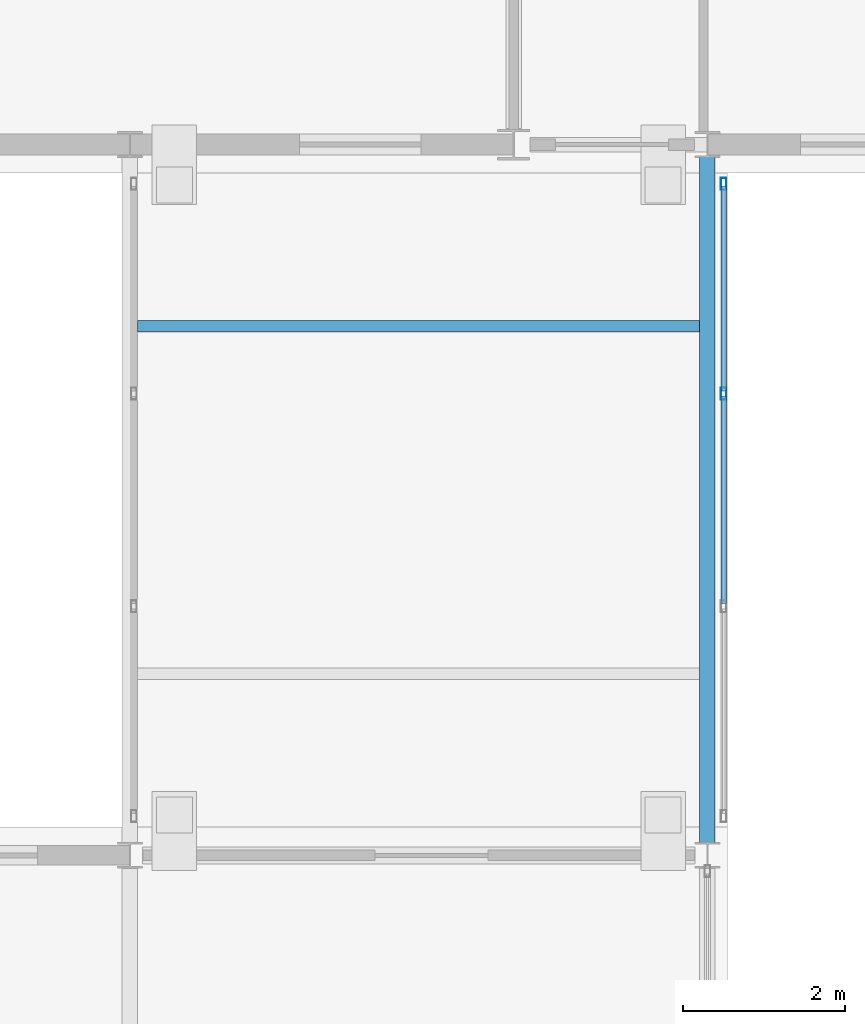
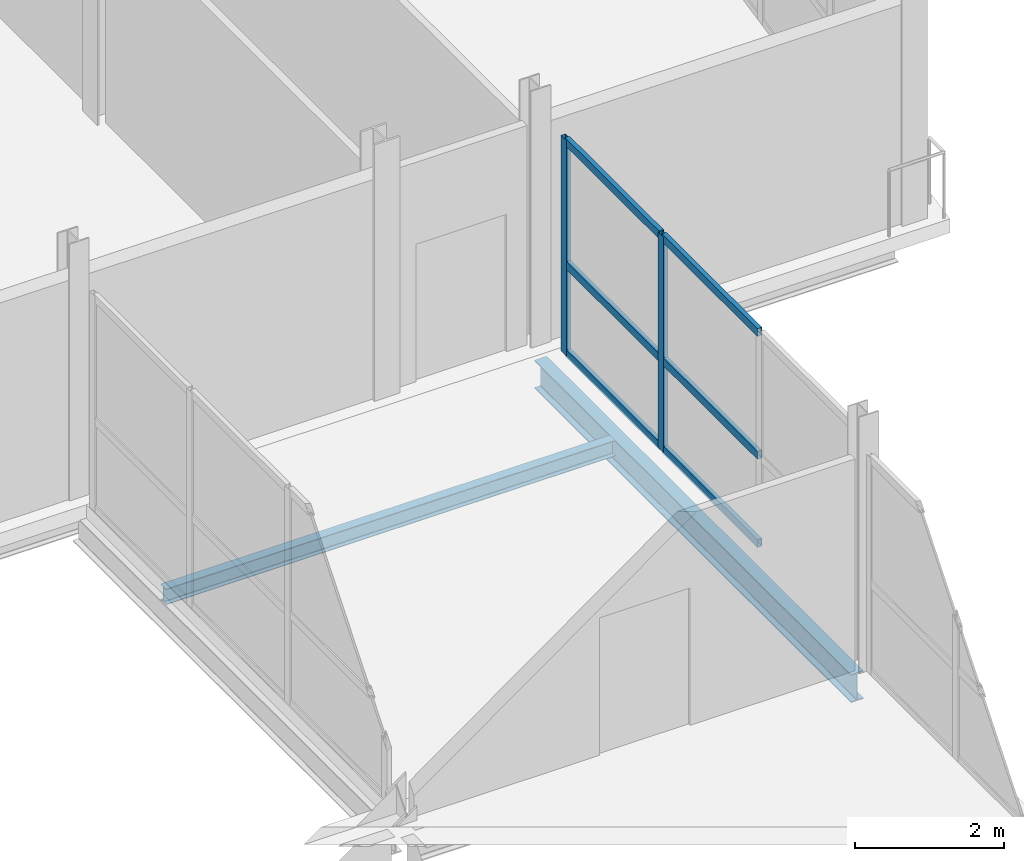
# One storey, part 20 of 60: 8 members, 2 beams, 1 element without a shape of its own.
"""IFC4 building model written with IfcOpenShell, lengths in metres."""

from ifc_helpers import new_model, si_unit, direction, frame, origin, origin_2d, place, context, subcontext, project, spatial, hollow_rectangle, i_section, extrude, material, layer, layer_set, material_profile, profile_set, type_object, element, aggregate, save


model = new_model("IFC4")

# Units and contexts
model_context = context("Model", 3, precision=1e-05, world=origin(), true_north=direction((0.0, 1.0)))
body_context = subcontext(model_context, "Body", "Model", "MODEL_VIEW")
ifc_project = project(units=[si_unit("LENGTHUNIT", "METRE"), si_unit("AREAUNIT", "SQUARE_METRE"), si_unit("VOLUMEUNIT", "CUBIC_METRE"), si_unit("PLANEANGLEUNIT", "RADIAN"), si_unit("MASSUNIT", "GRAM", prefix="KILO")], contexts=[model_context])

# Site, building, storey
site_placement = place(None, origin())
site = spatial("IfcSite", under=ifc_project, at=site_placement, CompositionType="ELEMENT")
building_placement = place(site_placement, origin())
building = spatial("IfcBuilding", under=site, at=building_placement, Name="Quillay Park Conservatory", CompositionType="ELEMENT")
storey_placement = place(building_placement, frame((0.0, 0.0, 9.89990234375)))
storey = spatial("IfcBuildingStorey", under=building, at=storey_placement, Name="L02", CompositionType="ELEMENT", Elevation=9.89990234375)

# Beam
ifc_material_1 = material(Name="Steel ASTM A992 Grade 50", Category="steel")
ifc_material_profile_1 = material_profile(ifc_material_1, i_section(OverallWidth=0.14599609375, OverallDepth=0.258056640625, WebThickness=0.006103515625, FlangeThickness=0.009033203125, FilletRadius=0.009033203125, at=origin_2d()), Name="W250x33")
ifc_profile_set_1 = profile_set([ifc_material_profile_1], Name="Steel ASTM A992 Grade 50")
beam_type_1 = type_object("IfcBeamType", Name="COMPOSITE FLOOR JOIST W250 X33", PredefinedType="JOIST", material=ifc_profile_set_1)
beam_1_placement = place(storey_placement, frame((15.095947265625, 60.800048828125, -0.348876953125), z_axis=(1.0, 0.0, 0.0), x_axis=(0.0, 1.0, 0.0)))
element("IfcBeam", 1, at=beam_1_placement, inside=storey, type_object=beam_type_1, Name="L02 beam BM-LB1J-1584", PredefinedType="JOIST", context=body_context, shape_type="SweptSolid", body=[
    extrude(i_section(OverallWidth=0.14599609375, OverallDepth=0.258056640625, WebThickness=0.006103515625, FlangeThickness=0.009033203125, FilletRadius=0.009033203125, at=origin_2d()), origin(), (0.0, 0.0, 1.0), 6.9580078125),
])

# Curtain wall, members
ifc_material_2 = material(Name="Thermally Broken Anodised Aluminium 6063-T6", Category="aluminium")
ifc_layer = layer(ifc_material_2, 0.155029296875)
ifc_layer_set = layer_set([ifc_layer], Name="UNITISED CURTAIN WALL BRIDGE (Thermally Broken Anodised Aluminium 6063-T6)")
curtain_wall_type = type_object("IfcCurtainWallType", Name="UNITISED CURTAIN WALL BRIDGE", PredefinedType="USERDEFINED", material=ifc_layer_set)
curtain_wall_placement = place(storey_placement, origin())
curtain_wall = element("IfcCurtainWall", 2, at=curtain_wall_placement, inside=storey, type_object=curtain_wall_type, Name="L02 Unitised Curtain Wall 218", ObjectType="UNITISED CURTAIN WALL", PredefinedType="USERDEFINED")
ifc_material_3 = material(Name="Thermally Broken Anodised Aluminium 6063-T6", Category="aluminium")
ifc_material_profile_2 = material_profile(ifc_material_3, hollow_rectangle(XDim=0.070068359375, YDim=0.14990234375, WallThickness=0.00341796875, at=origin_2d()), Name="AL70x150x3.5")
ifc_profile_set_2 = profile_set([ifc_material_profile_2], Name="Thermally Broken Anodised Aluminium 6063-T6")
member_type_1 = type_object("IfcMemberType", Name="CURTAIN WALL MULLION 70 X150", PredefinedType="MULLION", material=ifc_profile_set_2)
member_1_placement = place(storey_placement, frame((22.35009765625, 62.56494140625, 0.0), z_axis=(0.0, 0.0, 1.0), x_axis=(1.0, 0.0, 0.0)))
member_1 = element("IfcMember", 3, at=member_1_placement, type_object=member_type_1, Name="CW-B1 mullion 1", PredefinedType="MULLION", context=body_context, shape_type="SweptSolid", body=[
    extrude(hollow_rectangle(XDim=0.070068359375, YDim=0.14990234375, WallThickness=0.00341796875, at=origin_2d()), origin(), (0.0, 0.0, 1.0), 3.524169921875),
])
member_2_placement = place(storey_placement, frame((22.35009765625, 59.966552734375, 0.0), z_axis=(0.0, 0.0, 1.0), x_axis=(1.0, 0.0, 0.0)))
member_2 = element("IfcMember", 4, at=member_2_placement, type_object=member_type_1, Name="CW-B1 mullion 2", PredefinedType="MULLION", context=body_context, shape_type="SweptSolid", body=[
    extrude(hollow_rectangle(XDim=0.070068359375, YDim=0.14990234375, WallThickness=0.00341796875, at=origin_2d()), origin(), (0.0, 0.0, 1.0), 3.524169921875),
])
ifc_material_4 = material(Name="Thermally Broken Anodised Aluminium 6063-T6", Category="aluminium")
ifc_material_profile_3 = material_profile(ifc_material_4, hollow_rectangle(XDim=0.070068359375, YDim=0.1298828125, WallThickness=0.003173828125, at=origin_2d()), Name="AL70x130x3.2")
ifc_profile_set_3 = profile_set([ifc_material_profile_3], Name="Thermally Broken Anodised Aluminium 6063-T6")
member_type_2 = type_object("IfcMemberType", Name="CURTAIN WALL TRANSOM 70 X130", PredefinedType="USERDEFINED", material=ifc_profile_set_3)
member_3_placement = place(storey_placement, frame((22.35009765625, 62.530029296875, 0.03515625), z_axis=(0.0, -1.0, 0.0), x_axis=(1.0, 0.0, 0.0)))
member_3 = element("IfcMember", 5, at=member_3_placement, type_object=member_type_2, Name="CW-B1 transom 1.1", ObjectType="TRANSOM", PredefinedType="USERDEFINED", context=body_context, shape_type="SweptSolid", body=[
    extrude(hollow_rectangle(XDim=0.070068359375, YDim=0.1298828125, WallThickness=0.003173828125, at=origin_2d()), origin(), (0.0, 0.0, 1.0), 2.5283203125),
])
member_4_placement = place(storey_placement, frame((22.35009765625, 62.530029296875, 1.480224609375), z_axis=(0.0, -1.0, 0.0), x_axis=(1.0, 0.0, 0.0)))
member_4 = element("IfcMember", 6, at=member_4_placement, type_object=member_type_2, Name="CW-B1 transom 1.2", ObjectType="TRANSOM", PredefinedType="USERDEFINED", context=body_context, shape_type="SweptSolid", body=[
    extrude(hollow_rectangle(XDim=0.070068359375, YDim=0.1298828125, WallThickness=0.003173828125, at=origin_2d()), origin(), (0.0, 0.0, 1.0), 2.5283203125),
])
member_5_placement = place(storey_placement, frame((22.35009765625, 62.530029296875, 3.489013671875), z_axis=(0.0, -1.0, 0.0), x_axis=(1.0, 0.0, 0.0)))
member_5 = element("IfcMember", 7, at=member_5_placement, type_object=member_type_2, Name="CW-B1 transom 1.3", ObjectType="TRANSOM", PredefinedType="USERDEFINED", context=body_context, shape_type="SweptSolid", body=[
    extrude(hollow_rectangle(XDim=0.070068359375, YDim=0.1298828125, WallThickness=0.003173828125, at=origin_2d()), origin(), (0.0, 0.0, 1.0), 2.5283203125),
])
member_6_placement = place(storey_placement, frame((22.35009765625, 59.931640625, 0.03515625), z_axis=(0.0, -1.0, 0.0), x_axis=(1.0, 0.0, 0.0)))
member_6 = element("IfcMember", 8, at=member_6_placement, type_object=member_type_2, Name="CW-B1 transom 2.1", ObjectType="TRANSOM", PredefinedType="USERDEFINED", context=body_context, shape_type="SweptSolid", body=[
    extrude(hollow_rectangle(XDim=0.070068359375, YDim=0.1298828125, WallThickness=0.003173828125, at=origin_2d()), origin(), (0.0, 0.0, 1.0), 2.563232421875),
])
member_7_placement = place(storey_placement, frame((22.35009765625, 59.931640625, 1.480224609375), z_axis=(0.0, -1.0, 0.0), x_axis=(1.0, 0.0, 0.0)))
member_7 = element("IfcMember", 9, at=member_7_placement, type_object=member_type_2, Name="CW-B1 transom 2.2", ObjectType="TRANSOM", PredefinedType="USERDEFINED", context=body_context, shape_type="SweptSolid", body=[
    extrude(hollow_rectangle(XDim=0.070068359375, YDim=0.1298828125, WallThickness=0.003173828125, at=origin_2d()), origin(), (0.0, 0.0, 1.0), 2.563232421875),
])
member_8_placement = place(storey_placement, frame((22.35009765625, 59.931640625, 3.489013671875), z_axis=(0.0, -1.0, 0.0), x_axis=(1.0, 0.0, 0.0)))
member_8 = element("IfcMember", 10, at=member_8_placement, type_object=member_type_2, Name="CW-B1 transom 2.3", ObjectType="TRANSOM", PredefinedType="USERDEFINED", context=body_context, shape_type="SweptSolid", body=[
    extrude(hollow_rectangle(XDim=0.070068359375, YDim=0.1298828125, WallThickness=0.003173828125, at=origin_2d()), origin(), (0.0, 0.0, 1.0), 2.563232421875),
])
aggregate(curtain_wall, [member_1, member_2, member_3, member_4, member_5, member_6, member_7, member_8])

# Beam
ifc_material_5 = material(Name="Steel ASTM A992 Grade 50", Category="steel")
ifc_material_profile_4 = material_profile(ifc_material_5, i_section(OverallWidth=0.19189453125, OverallDepth=0.462890625, WebThickness=0.010498046875, FlangeThickness=0.017578125, FilletRadius=0.012939453125, at=origin_2d()), Name="W460x89")
ifc_profile_set_4 = profile_set([ifc_material_profile_4], Name="Steel ASTM A992 Grade 50")
beam_type_2 = type_object("IfcBeamType", Name="PRIMARY FLOOR GIRDER W460 X89", PredefinedType="BEAM", material=ifc_profile_set_4)
beam_2_placement = place(storey_placement, frame((22.14990234375, 54.405029296875, -0.451416015625), z_axis=(0.0, 1.0, 0.0), x_axis=(-1.0, 0.0, 0.0)))
element("IfcBeam", 11, at=beam_2_placement, inside=storey, type_object=beam_type_2, Name="L02 beam BM-LB1-1582", PredefinedType="BEAM", context=body_context, shape_type="SweptSolid", body=[
    extrude(i_section(OverallWidth=0.19189453125, OverallDepth=0.462890625, WebThickness=0.010498046875, FlangeThickness=0.017578125, FilletRadius=0.012939453125, at=origin_2d()), origin(), (0.0, 0.0, 1.0), 8.489990234375),
])

save(model, "model.ifc")
